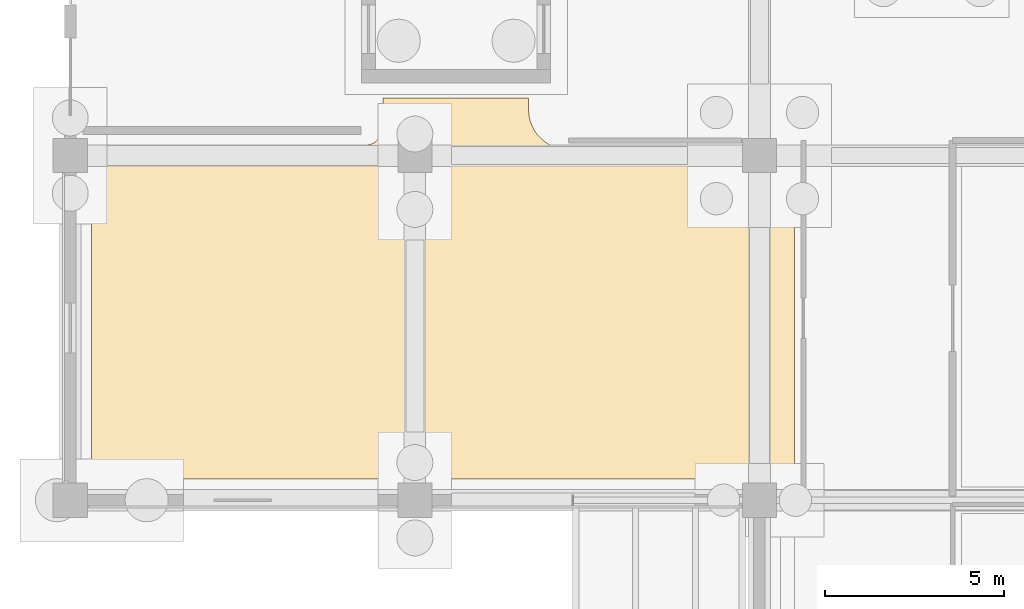
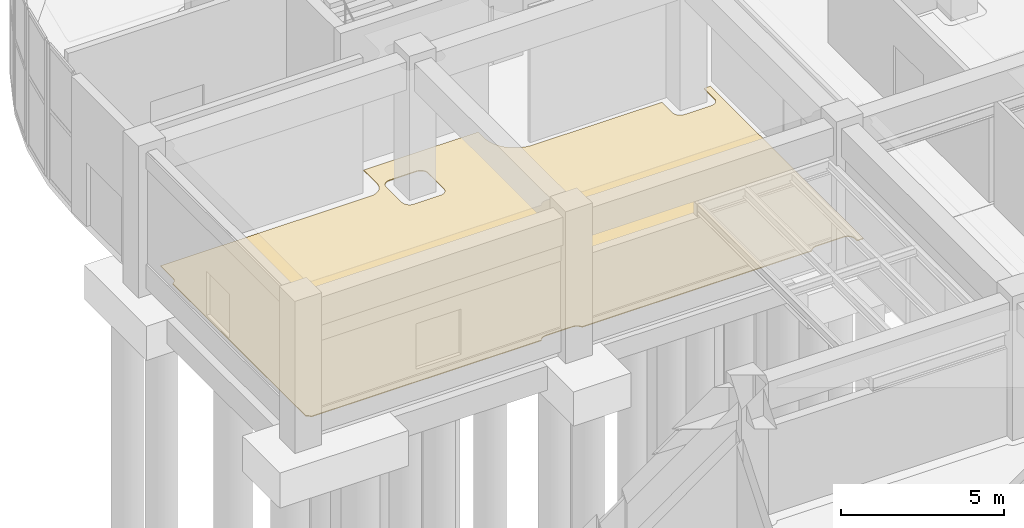
# One storey, part 61 of 74: 1 covering.
"""IFC4 building model written with IfcOpenShell, lengths in metres."""

from ifc_helpers import new_model, si_unit, direction, origin, place, context, subcontext, project, spatial, polyline, outline, extrude, material, layer, layer_set, type_object, element, save


model = new_model("IFC4")

# Units and contexts
model_context = context("Model", 3, precision=1e-05, world=origin(), true_north=direction((0.0, 1.0)))
body_context = subcontext(model_context, "Body", "Model", "MODEL_VIEW")
ifc_project = project(units=[si_unit("LENGTHUNIT", "METRE"), si_unit("AREAUNIT", "SQUARE_METRE"), si_unit("VOLUMEUNIT", "CUBIC_METRE"), si_unit("PLANEANGLEUNIT", "RADIAN"), si_unit("MASSUNIT", "GRAM", prefix="KILO")], contexts=[model_context])

# Site, building, storey
site_placement = place(None, origin())
site = spatial("IfcSite", under=ifc_project, at=site_placement, CompositionType="ELEMENT")
building_placement = place(site_placement, origin())
building = spatial("IfcBuilding", under=site, at=building_placement, Name="Cendralis Terraced Arcade", CompositionType="ELEMENT")
storey_placement = place(building_placement, origin())
storey = spatial("IfcBuildingStorey", under=building, at=storey_placement, Name="L00", CompositionType="ELEMENT", Elevation=0.0)

# Covering
ifc_material = material(Name="Polished Bogota limestone terrazzo flooring", Category="masonry")
ifc_layer = layer(ifc_material, 0.030029296875, Name="COV-FLR-TERZ-30")
ifc_layer_set = layer_set([ifc_layer], Name="Polished Bogota limestone terrazzo flooring")
covering_type = type_object("IfcCoveringType", Name="COV-FLR-TERZ-30", PredefinedType="FLOORING", material=ifc_layer_set)
covering_placement = place(storey_placement, origin())
element("IfcCovering", 1, at=covering_placement, inside=storey, type_object=covering_type, Name="Interior Finish Flooring L00-036", PredefinedType="FLOORING", context=body_context, shape_type="SweptSolid", body=[
    extrude(outline(polyline([(0.590087890625, 68.880615234375), (0.59130859375, 68.88134765625), (0.613037109375, 68.892822265625), (0.614501953125, 68.893798828125), (0.635009765625, 68.90771484375), (0.63671875, 68.90869140625), (0.655517578125, 68.92431640625), (0.656982421875, 68.925537109375), (0.67431640625, 68.943115234375), (0.67578125, 68.9443359375), (0.69140625, 68.96337890625), (0.6923828125, 68.965087890625), (0.7060546875, 68.9853515625), (0.70703125, 68.987060546875), (0.718505859375, 69.0087890625), (0.719482421875, 69.010498046875), (0.72900390625, 69.033203125), (0.7294921875, 69.034912109375), (0.736572265625, 69.058349609375), (0.737060546875, 69.060302734375), (0.741943359375, 69.08447265625), (0.7421875, 69.08642578125), (0.74462890625, 69.11083984375), (0.74462890625, 69.11279296875), (0.7451171875, 69.125), (0.7451171875, 69.889892578125), (8.199951171875, 69.889892578125), (8.2060546875, 69.89013671875), (8.2119140625, 69.89013671875), (8.21826171875, 69.890380859375), (8.23193359375, 69.89111328125), (8.244140625, 69.89208984375), (8.255859375, 69.893310546875), (8.26806640625, 69.894775390625), (8.281494140625, 69.896728515625), (8.293701171875, 69.898681640625), (8.30517578125, 69.901123046875), (8.317138671875, 69.90380859375), (8.33056640625, 69.906982421875), (8.34228515625, 69.910400390625), (8.353515625, 69.913818359375), (8.365234375, 69.917724609375), (8.378173828125, 69.92236328125), (8.3896484375, 69.9267578125), (8.400634765625, 69.93115234375), (8.411865234375, 69.936279296875), (8.42431640625, 69.942138671875), (8.435302734375, 69.947509765625), (8.445556640625, 69.953125), (8.456298828125, 69.959228515625), (8.468017578125, 69.96630859375), (8.478515625, 69.972900390625), (8.48828125, 69.979248046875), (8.498291015625, 69.986328125), (8.50927734375, 69.99462890625), (8.518798828125, 70.002197265625), (8.528076171875, 70.009521484375), (8.537353515625, 70.017578125), (8.547607421875, 70.02685546875), (8.556396484375, 70.035400390625), (8.564697265625, 70.043701171875), (8.572998046875, 70.052490234375), (8.58251953125, 70.062744140625), (8.59033203125, 70.072021484375), (8.597900390625, 70.0810546875), (8.60546875, 70.0908203125), (8.613525390625, 70.101806640625), (8.62060546875, 70.11181640625), (8.627197265625, 70.12158203125), (8.6337890625, 70.132080078125), (8.640869140625, 70.143798828125), (8.64697265625, 70.154541015625), (8.65234375, 70.164794921875), (8.657958984375, 70.17578125), (8.663818359375, 70.188232421875), (8.668701171875, 70.199462890625), (8.67333984375, 70.210205078125), (8.677734375, 70.2216796875), (8.682373046875, 70.234619140625), (8.686279296875, 70.246337890625), (8.689697265625, 70.257568359375), (8.69287109375, 70.26953125), (8.6962890625, 70.28271484375), (8.698974609375, 70.294921875), (8.701171875, 70.306396484375), (8.703369140625, 70.318359375), (8.705322265625, 70.33203125), (8.706787109375, 70.34423828125), (8.7080078125, 70.35595703125), (8.708984375, 70.3681640625), (8.709716796875, 70.3818359375), (8.709716796875, 70.387939453125), (8.7099609375, 70.393798828125), (8.7099609375, 70.39990234375), (8.7099609375, 71.2099609375), (12.77001953125, 71.2099609375), (12.77001953125, 70.8798828125), (12.77001953125, 70.876953125), (12.77001953125, 70.8740234375), (12.77001953125, 70.870849609375), (12.770263671875, 70.864990234375), (12.7705078125, 70.862060546875), (12.7705078125, 70.85888671875), (12.7705078125, 70.85595703125), (12.773681640625, 70.795166015625), (12.77392578125, 70.7890625), (12.7744140625, 70.783203125), (12.77490234375, 70.777099609375), (12.776123046875, 70.765380859375), (12.776611328125, 70.75927734375), (12.777587890625, 70.75341796875), (12.7783203125, 70.747314453125), (12.787109375, 70.68701171875), (12.7880859375, 70.68115234375), (12.789306640625, 70.67529296875), (12.790283203125, 70.669189453125), (12.79248046875, 70.65771484375), (12.7939453125, 70.651611328125), (12.795166015625, 70.64599609375), (12.796630859375, 70.639892578125), (12.811279296875, 70.5810546875), (12.81298828125, 70.574951171875), (12.814453125, 70.5693359375), (12.816162109375, 70.5634765625), (12.819580078125, 70.55224609375), (12.821533203125, 70.54638671875), (12.8232421875, 70.540771484375), (12.8251953125, 70.534912109375), (12.845703125, 70.477783203125), (12.847900390625, 70.471923828125), (12.85009765625, 70.46630859375), (12.852294921875, 70.460693359375), (12.85693359375, 70.44970703125), (12.859375, 70.444091796875), (12.86181640625, 70.438720703125), (12.8642578125, 70.43310546875), (12.890380859375, 70.378173828125), (12.892822265625, 70.372802734375), (12.8955078125, 70.367431640625), (12.8984375, 70.362060546875), (12.904052734375, 70.3515625), (12.906982421875, 70.34619140625), (12.909912109375, 70.341064453125), (12.912841796875, 70.335693359375), (12.944091796875, 70.28369140625), (12.947509765625, 70.2783203125), (12.95068359375, 70.2734375), (12.953857421875, 70.268310546875), (12.96044921875, 70.258544921875), (12.9638671875, 70.25341796875), (12.96728515625, 70.24853515625), (12.970947265625, 70.24365234375), (13.007080078125, 70.19482421875), (13.010986328125, 70.18994140625), (13.014404296875, 70.185302734375), (13.018310546875, 70.180419921875), (13.02587890625, 70.17138671875), (13.02978515625, 70.166748046875), (13.03369140625, 70.162109375), (13.03759765625, 70.15771484375), (13.07861328125, 70.112548828125), (13.082763671875, 70.10791015625), (13.0869140625, 70.103759765625), (13.091064453125, 70.099365234375), (13.099365234375, 70.091064453125), (13.103759765625, 70.0869140625), (13.10791015625, 70.082763671875), (13.112548828125, 70.07861328125), (13.15771484375, 70.03759765625), (13.162109375, 70.03369140625), (13.166748046875, 70.02978515625), (13.17138671875, 70.02587890625), (13.180419921875, 70.018310546875), (13.185302734375, 70.014404296875), (13.18994140625, 70.010986328125), (13.19482421875, 70.007080078125), (13.24365234375, 69.970947265625), (13.24853515625, 69.96728515625), (13.25341796875, 69.9638671875), (13.258544921875, 69.96044921875), (13.268310546875, 69.953857421875), (13.2734375, 69.95068359375), (13.2783203125, 69.947509765625), (13.28369140625, 69.944091796875), (13.335693359375, 69.912841796875), (13.341064453125, 69.909912109375), (13.34619140625, 69.906982421875), (13.3515625, 69.904052734375), (13.362060546875, 69.8984375), (13.367431640625, 69.8955078125), (13.372802734375, 69.892822265625), (13.378173828125, 69.890380859375), (13.43310546875, 69.8642578125), (13.438720703125, 69.86181640625), (13.444091796875, 69.859375), (13.44970703125, 69.85693359375), (13.460693359375, 69.852294921875), (13.46630859375, 69.85009765625), (13.471923828125, 69.847900390625), (13.477783203125, 69.845703125), (13.534912109375, 69.8251953125), (13.540771484375, 69.8232421875), (13.54638671875, 69.821533203125), (13.55224609375, 69.819580078125), (13.5634765625, 69.816162109375), (13.5693359375, 69.814453125), (13.574951171875, 69.81298828125), (13.5810546875, 69.811279296875), (13.639892578125, 69.796630859375), (13.64599609375, 69.795166015625), (13.651611328125, 69.7939453125), (13.65771484375, 69.79248046875), (13.669189453125, 69.790283203125), (13.67529296875, 69.789306640625), (13.68115234375, 69.7880859375), (13.68701171875, 69.787109375), (13.747314453125, 69.7783203125), (13.75341796875, 69.777587890625), (13.75927734375, 69.776611328125), (13.765380859375, 69.776123046875), (13.777099609375, 69.77490234375), (13.783203125, 69.7744140625), (13.7890625, 69.77392578125), (13.795166015625, 69.773681640625), (13.85595703125, 69.7705078125), (13.85888671875, 69.7705078125), (13.862060546875, 69.7705078125), (13.864990234375, 69.770263671875), (13.870849609375, 69.77001953125), (13.8740234375, 69.77001953125), (13.876953125, 69.77001953125), (13.8798828125, 69.77001953125), (18.455078125, 69.77001953125), (18.455078125, 69.125), (18.455322265625, 69.11279296875), (18.455322265625, 69.11083984375), (18.457763671875, 69.08642578125), (18.4580078125, 69.08447265625), (18.462890625, 69.060302734375), (18.46337890625, 69.058349609375), (18.470458984375, 69.034912109375), (18.47119140625, 69.033203125), (18.48046875, 69.010498046875), (18.4814453125, 69.0087890625), (18.492919921875, 68.987060546875), (18.493896484375, 68.9853515625), (18.507568359375, 68.965087890625), (18.5087890625, 68.96337890625), (18.5244140625, 68.9443359375), (18.525634765625, 68.943115234375), (18.54296875, 68.925537109375), (18.54443359375, 68.92431640625), (18.5634765625, 68.90869140625), (18.56494140625, 68.90771484375), (18.58544921875, 68.893798828125), (18.5869140625, 68.892822265625), (18.608642578125, 68.88134765625), (18.610595703125, 68.880615234375), (18.633056640625, 68.87109375), (18.635009765625, 68.87060546875), (18.658447265625, 68.86328125), (18.660400390625, 68.86279296875), (18.684326171875, 68.858154296875), (18.686279296875, 68.85791015625), (18.710693359375, 68.85546875), (18.712646484375, 68.855224609375), (18.72509765625, 68.85498046875), (19.675048828125, 68.85498046875), (19.687255859375, 68.855224609375), (19.689208984375, 68.85546875), (19.713623046875, 68.85791015625), (19.715576171875, 68.858154296875), (19.739501953125, 68.86279296875), (19.74169921875, 68.86328125), (19.764892578125, 68.87060546875), (19.766845703125, 68.87109375), (19.78955078125, 68.880615234375), (19.791259765625, 68.88134765625), (19.81298828125, 68.892822265625), (19.814697265625, 68.893798828125), (19.8349609375, 68.90771484375), (19.836669921875, 68.90869140625), (19.855712890625, 68.92431640625), (19.85693359375, 68.925537109375), (19.87451171875, 68.943115234375), (19.875732421875, 68.9443359375), (19.891357421875, 68.96337890625), (19.892333984375, 68.965087890625), (19.906005859375, 68.9853515625), (19.906982421875, 68.987060546875), (19.918701171875, 69.0087890625), (19.91943359375, 69.010498046875), (19.928955078125, 69.033203125), (19.929443359375, 69.034912109375), (19.9365234375, 69.058349609375), (19.93701171875, 69.060302734375), (19.94189453125, 69.08447265625), (19.942138671875, 69.08642578125), (19.944580078125, 69.11083984375), (19.944580078125, 69.11279296875), (19.945068359375, 69.125), (19.945068359375, 69.77001953125), (20.169921875, 69.77001953125), (20.169921875, 60.3701171875), (19.945068359375, 60.3701171875), (19.945068359375, 60.47509765625), (19.944580078125, 60.4873046875), (19.944580078125, 60.4892578125), (19.942138671875, 60.513671875), (19.94189453125, 60.515625), (19.93701171875, 60.53955078125), (19.9365234375, 60.54150390625), (19.929443359375, 60.56494140625), (19.928955078125, 60.56689453125), (19.91943359375, 60.589599609375), (19.918701171875, 60.59130859375), (19.906982421875, 60.613037109375), (19.906005859375, 60.614501953125), (19.892333984375, 60.635009765625), (19.891357421875, 60.63671875), (19.875732421875, 60.655517578125), (19.87451171875, 60.656982421875), (19.85693359375, 60.67431640625), (19.855712890625, 60.67578125), (19.836669921875, 60.69140625), (19.8349609375, 60.6923828125), (19.814697265625, 60.7060546875), (19.81298828125, 60.70703125), (19.791259765625, 60.718505859375), (19.78955078125, 60.719482421875), (19.766845703125, 60.72900390625), (19.764892578125, 60.7294921875), (19.74169921875, 60.736572265625), (19.739501953125, 60.737060546875), (19.715576171875, 60.741943359375), (19.713623046875, 60.7421875), (19.689208984375, 60.74462890625), (19.687255859375, 60.74462890625), (19.675048828125, 60.7451171875), (18.72509765625, 60.7451171875), (18.712646484375, 60.74462890625), (18.710693359375, 60.74462890625), (18.686279296875, 60.7421875), (18.684326171875, 60.741943359375), (18.660400390625, 60.737060546875), (18.658447265625, 60.736572265625), (18.635009765625, 60.7294921875), (18.633056640625, 60.72900390625), (18.610595703125, 60.719482421875), (18.608642578125, 60.718505859375), (18.5869140625, 60.70703125), (18.58544921875, 60.7060546875), (18.56494140625, 60.6923828125), (18.5634765625, 60.69140625), (18.54443359375, 60.67578125), (18.54296875, 60.67431640625), (18.525634765625, 60.656982421875), (18.5244140625, 60.655517578125), (18.5087890625, 60.63671875), (18.507568359375, 60.635009765625), (18.493896484375, 60.614501953125), (18.492919921875, 60.613037109375), (18.4814453125, 60.59130859375), (18.480712890625, 60.590087890625), (10.3193359375, 60.590087890625), (10.318603515625, 60.59130859375), (10.30712890625, 60.613037109375), (10.30615234375, 60.614501953125), (10.29248046875, 60.635009765625), (10.291259765625, 60.63671875), (10.275634765625, 60.655517578125), (10.2744140625, 60.656982421875), (10.257080078125, 60.67431640625), (10.255615234375, 60.67578125), (10.236572265625, 60.69140625), (10.235107421875, 60.6923828125), (10.214599609375, 60.7060546875), (10.212890625, 60.70703125), (10.19140625, 60.718505859375), (10.189453125, 60.719482421875), (10.1669921875, 60.72900390625), (10.1650390625, 60.7294921875), (10.1416015625, 60.736572265625), (10.1396484375, 60.737060546875), (10.115478515625, 60.741943359375), (10.113525390625, 60.7421875), (10.089111328125, 60.74462890625), (10.08740234375, 60.74462890625), (10.074951171875, 60.7451171875), (9.125, 60.7451171875), (9.11279296875, 60.74462890625), (9.11083984375, 60.74462890625), (9.08642578125, 60.7421875), (9.08447265625, 60.741943359375), (9.060302734375, 60.737060546875), (9.058349609375, 60.736572265625), (9.034912109375, 60.7294921875), (9.033203125, 60.72900390625), (9.010498046875, 60.719482421875), (9.0087890625, 60.718505859375), (8.987060546875, 60.70703125), (8.9853515625, 60.7060546875), (8.965087890625, 60.6923828125), (8.96337890625, 60.69140625), (8.9443359375, 60.67578125), (8.943115234375, 60.67431640625), (8.925537109375, 60.656982421875), (8.92431640625, 60.655517578125), (8.90869140625, 60.63671875), (8.90771484375, 60.635009765625), (8.893798828125, 60.614501953125), (8.892822265625, 60.613037109375), (8.88134765625, 60.59130859375), (8.880615234375, 60.590087890625), (0.71923828125, 60.590087890625), (0.718505859375, 60.59130859375), (0.70703125, 60.613037109375), (0.7060546875, 60.614501953125), (0.6923828125, 60.635009765625), (0.69140625, 60.63671875), (0.67578125, 60.655517578125), (0.67431640625, 60.656982421875), (0.656982421875, 60.67431640625), (0.655517578125, 60.67578125), (0.63671875, 60.69140625), (0.635009765625, 60.6923828125), (0.614501953125, 60.7060546875), (0.613037109375, 60.70703125), (0.59130859375, 60.718505859375), (0.590087890625, 60.71923828125), (0.590087890625, 68.880615234375)]), holes=[polyline([(8.9853515625, 68.893798828125), (8.987060546875, 68.892822265625), (9.0087890625, 68.88134765625), (9.010498046875, 68.880615234375), (9.033203125, 68.87109375), (9.034912109375, 68.87060546875), (9.058349609375, 68.86328125), (9.060302734375, 68.86279296875), (9.08447265625, 68.858154296875), (9.08642578125, 68.85791015625), (9.11083984375, 68.85546875), (9.11279296875, 68.855224609375), (9.125, 68.85498046875), (10.074951171875, 68.85498046875), (10.08740234375, 68.855224609375), (10.089111328125, 68.85546875), (10.113525390625, 68.85791015625), (10.115478515625, 68.858154296875), (10.1396484375, 68.86279296875), (10.1416015625, 68.86328125), (10.1650390625, 68.87060546875), (10.1669921875, 68.87109375), (10.189453125, 68.880615234375), (10.19140625, 68.88134765625), (10.212890625, 68.892822265625), (10.214599609375, 68.893798828125), (10.235107421875, 68.90771484375), (10.236572265625, 68.90869140625), (10.255615234375, 68.92431640625), (10.257080078125, 68.925537109375), (10.2744140625, 68.943115234375), (10.275634765625, 68.9443359375), (10.291259765625, 68.96337890625), (10.29248046875, 68.965087890625), (10.30615234375, 68.9853515625), (10.30712890625, 68.987060546875), (10.318603515625, 69.0087890625), (10.319580078125, 69.010498046875), (10.328857421875, 69.033203125), (10.32958984375, 69.034912109375), (10.336669921875, 69.058349609375), (10.337158203125, 69.060302734375), (10.341796875, 69.08447265625), (10.34228515625, 69.08642578125), (10.344482421875, 69.11083984375), (10.3447265625, 69.11279296875), (10.344970703125, 69.125), (10.344970703125, 70.074951171875), (10.3447265625, 70.08740234375), (10.344482421875, 70.089111328125), (10.34228515625, 70.113525390625), (10.341796875, 70.115478515625), (10.337158203125, 70.1396484375), (10.336669921875, 70.1416015625), (10.32958984375, 70.1650390625), (10.328857421875, 70.1669921875), (10.319580078125, 70.189453125), (10.318603515625, 70.19140625), (10.30712890625, 70.212890625), (10.30615234375, 70.214599609375), (10.29248046875, 70.235107421875), (10.291259765625, 70.236572265625), (10.275634765625, 70.255615234375), (10.2744140625, 70.257080078125), (10.257080078125, 70.2744140625), (10.255615234375, 70.275634765625), (10.236572265625, 70.291259765625), (10.235107421875, 70.29248046875), (10.214599609375, 70.30615234375), (10.212890625, 70.30712890625), (10.19140625, 70.318603515625), (10.189453125, 70.319580078125), (10.1669921875, 70.328857421875), (10.1650390625, 70.32958984375), (10.1416015625, 70.336669921875), (10.1396484375, 70.337158203125), (10.115478515625, 70.341796875), (10.113525390625, 70.34228515625), (10.089111328125, 70.344482421875), (10.08740234375, 70.3447265625), (10.074951171875, 70.344970703125), (9.125, 70.344970703125), (9.11279296875, 70.3447265625), (9.11083984375, 70.344482421875), (9.08642578125, 70.34228515625), (9.08447265625, 70.341796875), (9.060302734375, 70.337158203125), (9.058349609375, 70.336669921875), (9.034912109375, 70.32958984375), (9.033203125, 70.328857421875), (9.010498046875, 70.319580078125), (9.0087890625, 70.318603515625), (8.987060546875, 70.30712890625), (8.9853515625, 70.30615234375), (8.965087890625, 70.29248046875), (8.96337890625, 70.291259765625), (8.9443359375, 70.275634765625), (8.943115234375, 70.2744140625), (8.925537109375, 70.257080078125), (8.92431640625, 70.255615234375), (8.90869140625, 70.236572265625), (8.90771484375, 70.235107421875), (8.893798828125, 70.214599609375), (8.892822265625, 70.212890625), (8.88134765625, 70.19140625), (8.880615234375, 70.189453125), (8.87109375, 70.1669921875), (8.87060546875, 70.1650390625), (8.86328125, 70.1416015625), (8.86279296875, 70.1396484375), (8.858154296875, 70.115478515625), (8.85791015625, 70.113525390625), (8.85546875, 70.089111328125), (8.855224609375, 70.08740234375), (8.85498046875, 70.074951171875), (8.85498046875, 69.125), (8.855224609375, 69.11279296875), (8.85546875, 69.11083984375), (8.85791015625, 69.08642578125), (8.858154296875, 69.08447265625), (8.86279296875, 69.060302734375), (8.86328125, 69.058349609375), (8.87060546875, 69.034912109375), (8.87109375, 69.033203125), (8.880615234375, 69.010498046875), (8.88134765625, 69.0087890625), (8.892822265625, 68.987060546875), (8.893798828125, 68.9853515625), (8.90771484375, 68.965087890625), (8.90869140625, 68.96337890625), (8.92431640625, 68.9443359375), (8.925537109375, 68.943115234375), (8.943115234375, 68.925537109375), (8.9443359375, 68.92431640625), (8.96337890625, 68.90869140625), (8.965087890625, 68.90771484375), (8.9853515625, 68.893798828125)])]), origin(), (0.0, 0.0, 1.0), 0.030029296875),
])

save(model, "model.ifc")
